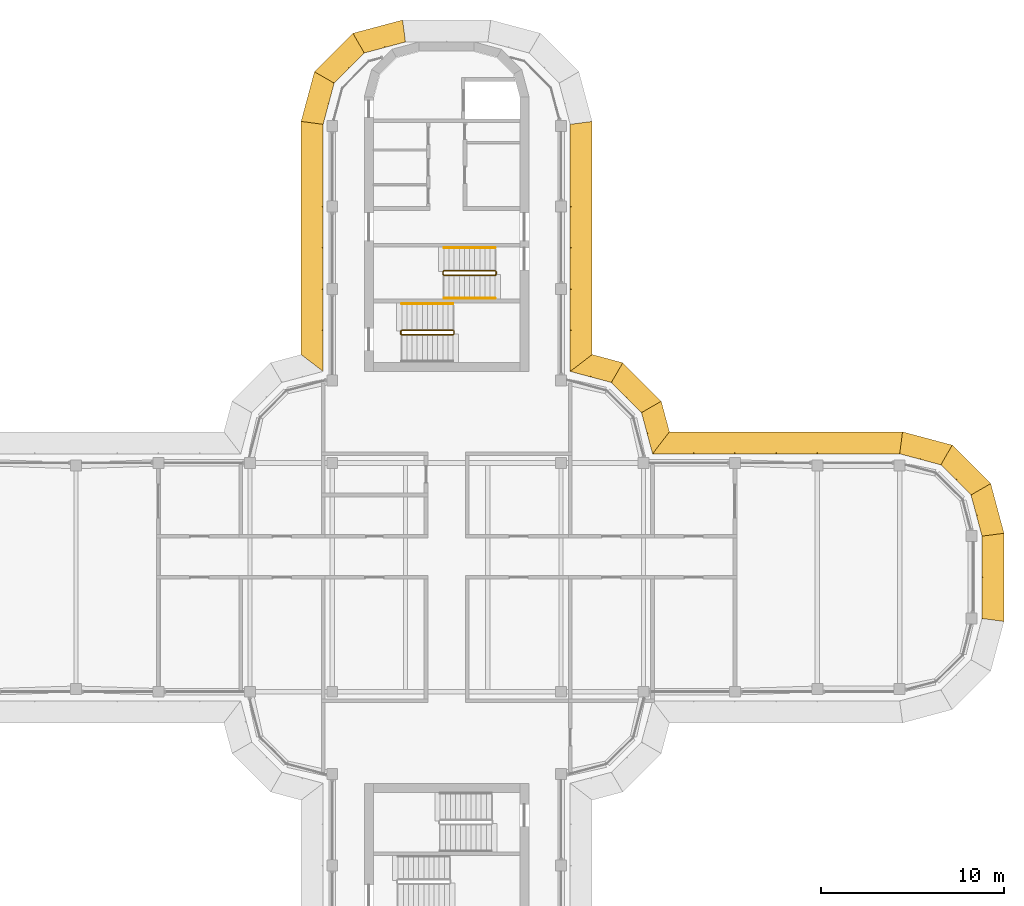
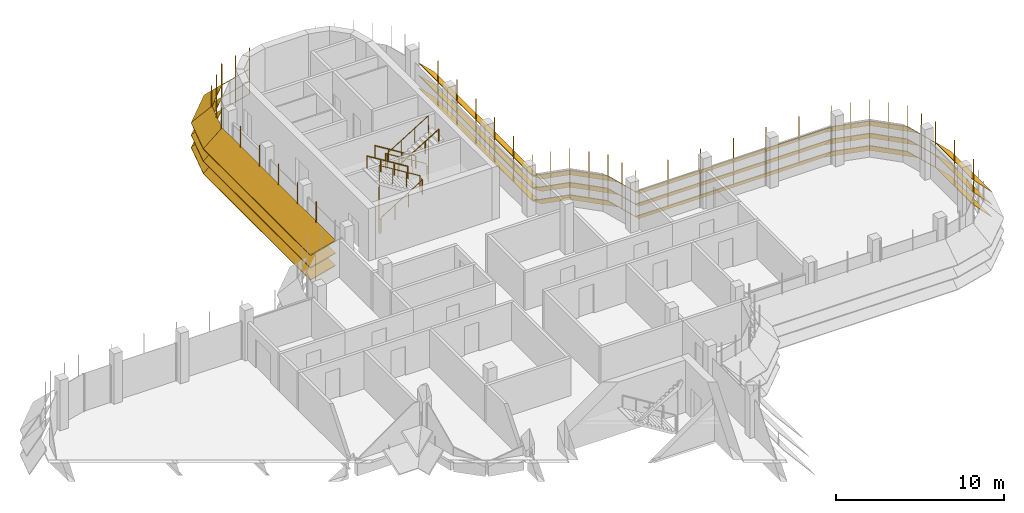
# One storey, part 18 of 19: 7 shading devices, 5 railings.
"""IFC4 building model written with IfcOpenShell, lengths in metres."""

from ifc_helpers import new_model, si_unit, direction, frame, origin, origin_2d, place, context, subcontext, project, spatial, polyline, circle, outline, extrude, faceted_brep, source, transform, mapped, material, type_object, element, save


model = new_model("IFC4")

# Units and contexts
model_context = context("Model", 3, precision=1e-05, world=origin(), true_north=direction((0.0, 1.0)))
body_context = subcontext(model_context, "Body", "Model", "MODEL_VIEW")
ifc_project = project(units=[si_unit("LENGTHUNIT", "METRE"), si_unit("AREAUNIT", "SQUARE_METRE"), si_unit("VOLUMEUNIT", "CUBIC_METRE"), si_unit("PLANEANGLEUNIT", "RADIAN"), si_unit("MASSUNIT", "GRAM", prefix="KILO")], contexts=[model_context])

# Site, building, storey
site_placement = place(None, origin())
site = spatial("IfcSite", under=ifc_project, at=site_placement, CompositionType="ELEMENT")
building_placement = place(site_placement, origin())
building = spatial("IfcBuilding", under=site, at=building_placement, Name="Zarbagh Exchange Tower", CompositionType="ELEMENT")
storey_placement = place(building_placement, frame((0.0, 0.0, 257.39990234375)))
storey = spatial("IfcBuildingStorey", under=building, at=storey_placement, Name="L63", CompositionType="ELEMENT", Elevation=257.39990234375)

# Railings
ifc_material_1 = material(Name="Stainless steel", Category="steel")
railing_type_1 = type_object("IfcRailingType", Name="Stair guard 1100 mm", PredefinedType="GUARDRAIL", material=ifc_material_1)
railing_1_placement = place(storey_placement, frame((2.64990234375, 16.75, 0.1728515625)))
element("IfcRailing", 1, at=railing_1_placement, inside=storey, type_object=railing_type_1, Name="ST1 stair guard 1", PredefinedType="GUARDRAIL", context=body_context, shape_type="SweptSolid", body=[
    extrude(circle(Radius=0.02392578125, at=origin_2d()), frame((0.0, 0.0, 1.076171875), z_axis=(-0.851069175582, 0.0, 0.525053576669), x_axis=(0.0, -1.0, 0.0)), (0.0, 0.0, 1.0), 3.289794921875),
    extrude(circle(Radius=0.02392578125, at=origin_2d()), frame((-2.7998046875, 0.0, 2.80322265625), z_axis=(-0.707106781187, -0.707106781187, 0.0), x_axis=(0.707106781187, -0.707106781187, 0.0)), (0.0, 0.0, 1.0), 0.07080078125),
    extrude(circle(Radius=0.02392578125, at=origin_2d()), frame((-2.849853515625, -0.050048828125, 2.80322265625), z_axis=(0.0, -1.0, 0.0), x_axis=(1.0, 0.0, 0.0)), (0.0, 0.0, 1.0), 0.14990234375),
    extrude(circle(Radius=0.02392578125, at=origin_2d()), frame((-2.849853515625, -0.199951171875, 2.80322265625), z_axis=(0.268277960024, -0.268277960024, 0.925231793839), x_axis=(0.707106781187, 0.707106781187, 0.0)), (0.0, 0.0, 1.0), 0.1865234375),
    extrude(circle(Radius=0.02392578125, at=origin_2d()), frame((-2.7998046875, -0.25, 2.97607421875), z_axis=(0.851069175582, 0.0, 0.525053576669), x_axis=(0.0, 1.0, 0.0)), (0.0, 0.0, 1.0), 3.289794921875),
    extrude(circle(Radius=0.02392578125, at=origin_2d()), frame((0.0, -0.25, 4.703125), z_axis=(0.013168290981, 0.013168290981, -0.999826581076), x_axis=(-0.707106781187, 0.707106781187, 0.0)), (0.0, 0.0, 1.0), 3.80078125),
    extrude(circle(Radius=0.02392578125, at=origin_2d()), frame((0.050048828125, -0.199951171875, 0.9033203125), z_axis=(0.0, 1.0, 0.0), x_axis=(-1.0, 0.0, 0.0)), (0.0, 0.0, 1.0), 0.14990234375),
    extrude(circle(Radius=0.02099609375, at=origin_2d()), origin(), (0.0, 0.0, 1.0), 1.052001953125),
    extrude(circle(Radius=0.02099609375, at=origin_2d()), frame((-0.933349609375, 0.0, 0.57568359375)), (0.0, 0.0, 1.0), 1.052001953125),
    extrude(circle(Radius=0.02099609375, at=origin_2d()), frame((-1.866455078125, 0.0, 1.151611328125)), (0.0, 0.0, 1.0), 1.052001953125),
    extrude(circle(Radius=0.02099609375, at=origin_2d()), frame((-2.7998046875, 0.0, 1.727294921875)), (0.0, 0.0, 1.0), 1.052001953125),
    extrude(circle(Radius=0.02099609375, at=origin_2d()), frame((-2.849853515625, -0.050048828125, 1.727294921875)), (0.0, 0.0, 1.0), 1.052001953125),
    extrude(circle(Radius=0.02099609375, at=origin_2d()), frame((-2.849853515625, -0.199951171875, 1.727294921875)), (0.0, 0.0, 1.0), 1.052001953125),
    extrude(circle(Radius=0.02099609375, at=origin_2d()), frame((-2.7998046875, -0.25, 1.89990234375)), (0.0, 0.0, 1.0), 1.052001953125),
    extrude(circle(Radius=0.02099609375, at=origin_2d()), frame((-1.866455078125, -0.25, 2.4755859375)), (0.0, 0.0, 1.0), 1.052001953125),
    extrude(circle(Radius=0.02099609375, at=origin_2d()), frame((-0.933349609375, -0.25, 3.051513671875)), (0.0, 0.0, 1.0), 1.052001953125),
    extrude(circle(Radius=0.02099609375, at=origin_2d()), frame((0.0, -0.25, 3.627197265625)), (0.0, 0.0, 1.0), 1.052001953125),
    extrude(circle(Radius=0.02099609375, at=origin_2d()), frame((0.012451171875, -0.237548828125, 2.67724609375)), (0.0, 0.0, 1.0), 1.052001953125),
    extrude(circle(Radius=0.02099609375, at=origin_2d()), frame((0.02490234375, -0.22509765625, 1.72705078125)), (0.0, 0.0, 1.0), 1.052001953125),
    extrude(circle(Radius=0.02099609375, at=origin_2d()), frame((0.03759765625, -0.21240234375, 0.777099609375)), (0.0, 0.0, 1.0), 1.052001953125),
    extrude(circle(Radius=0.02099609375, at=origin_2d()), frame((0.050048828125, -0.199951171875, -0.1728515625)), (0.0, 0.0, 1.0), 1.052001953125),
    extrude(circle(Radius=0.02099609375, at=origin_2d()), frame((0.050048828125, -0.050048828125, -0.1728515625)), (0.0, 0.0, 1.0), 1.052001953125),
])
railing_2_placement = place(storey_placement, frame((0.35009765625, 13.5, 2.07275390625)))
element("IfcRailing", 2, at=railing_2_placement, inside=storey, type_object=railing_type_1, Name="ST2 stair guard 1", PredefinedType="GUARDRAIL", context=body_context, shape_type="SweptSolid", body=[
    extrude(circle(Radius=0.02392578125, at=origin_2d()), frame((0.0, 0.0, 1.076171875), z_axis=(-0.851089632645, 0.0, 0.525020415988), x_axis=(0.0, -1.0, 0.0)), (0.0, 0.0, 1.0), 3.2900390625),
    extrude(circle(Radius=0.02392578125, at=origin_2d()), frame((-2.800048828125, 0.0, 2.80322265625), z_axis=(-0.013168290981, -0.013168290981, -0.999826581076), x_axis=(0.707106781187, -0.707106781187, 0.0)), (0.0, 0.0, 1.0), 3.80078125),
    extrude(circle(Radius=0.02392578125, at=origin_2d()), frame((-2.85009765625, -0.050048828125, -0.99658203125), z_axis=(0.0, -1.0, 0.0), x_axis=(1.0, 0.0, 0.0)), (0.0, 0.0, 1.0), 0.14990234375),
    extrude(circle(Radius=0.02392578125, at=origin_2d()), frame((-2.85009765625, -0.199951171875, -0.99658203125), z_axis=(0.267953482034, -0.267953482034, 0.925419830635), x_axis=(0.707106781187, 0.707106781187, 0.0)), (0.0, 0.0, 1.0), 0.186767578125),
    extrude(circle(Radius=0.02392578125, at=origin_2d()), frame((-2.800048828125, -0.25, -0.82373046875), z_axis=(0.851089632645, 0.0, 0.525020415988), x_axis=(0.0, 1.0, 0.0)), (0.0, 0.0, 1.0), 3.2900390625),
    extrude(circle(Radius=0.02392578125, at=origin_2d()), frame((0.0, -0.25, 0.9033203125), z_axis=(0.705375805398, 0.708833529934, 0.0), x_axis=(-0.708833529934, 0.705375805398, 0.0)), (0.0, 0.0, 1.0), 0.070556640625),
    extrude(circle(Radius=0.02392578125, at=origin_2d()), frame((0.0498046875, -0.199951171875, 0.9033203125), z_axis=(0.0, 1.0, 0.0), x_axis=(-1.0, 0.0, 0.0)), (0.0, 0.0, 1.0), 0.14990234375),
    extrude(circle(Radius=0.02099609375, at=origin_2d()), origin(), (0.0, 0.0, 1.0), 1.052001953125),
    extrude(circle(Radius=0.02099609375, at=origin_2d()), frame((-0.933349609375, 0.0, 0.57568359375)), (0.0, 0.0, 1.0), 1.052001953125),
    extrude(circle(Radius=0.02099609375, at=origin_2d()), frame((-1.86669921875, 0.0, 1.151611328125)), (0.0, 0.0, 1.0), 1.052001953125),
    extrude(circle(Radius=0.02099609375, at=origin_2d()), frame((-2.800048828125, 0.0, 1.727294921875)), (0.0, 0.0, 1.0), 1.052001953125),
    extrude(circle(Radius=0.02099609375, at=origin_2d()), frame((-2.8125, -0.012451171875, 0.77734375)), (0.0, 0.0, 1.0), 1.052001953125),
    extrude(circle(Radius=0.02099609375, at=origin_2d()), frame((-2.8251953125, -0.02490234375, -0.1728515625)), (0.0, 0.0, 1.0), 1.052001953125),
    extrude(circle(Radius=0.02099609375, at=origin_2d()), frame((-2.837646484375, -0.03759765625, -1.122802734375)), (0.0, 0.0, 1.0), 1.052001953125),
    extrude(circle(Radius=0.02099609375, at=origin_2d()), frame((-2.85009765625, -0.050048828125, -2.07275390625)), (0.0, 0.0, 1.0), 1.052001953125),
    extrude(circle(Radius=0.02099609375, at=origin_2d()), frame((-2.85009765625, -0.199951171875, -2.07275390625)), (0.0, 0.0, 1.0), 1.052001953125),
    extrude(circle(Radius=0.02099609375, at=origin_2d()), frame((-2.800048828125, -0.25, -1.89990234375)), (0.0, 0.0, 1.0), 1.052001953125),
    extrude(circle(Radius=0.02099609375, at=origin_2d()), frame((-1.86669921875, -0.25, -1.32421875)), (0.0, 0.0, 1.0), 1.052001953125),
    extrude(circle(Radius=0.02099609375, at=origin_2d()), frame((-0.933349609375, -0.25, -0.748291015625)), (0.0, 0.0, 1.0), 1.052001953125),
    extrude(circle(Radius=0.02099609375, at=origin_2d()), frame((0.0, -0.25, -0.172607421875)), (0.0, 0.0, 1.0), 1.052001953125),
    extrude(circle(Radius=0.02099609375, at=origin_2d()), frame((0.0498046875, -0.199951171875, -0.172607421875)), (0.0, 0.0, 1.0), 1.052001953125),
    extrude(circle(Radius=0.02099609375, at=origin_2d()), frame((0.0498046875, -0.050048828125, -0.172607421875)), (0.0, 0.0, 1.0), 1.052001953125),
])
railing_type_2 = type_object("IfcRailingType", Name="Stair handrail 900 mm", PredefinedType="HANDRAIL", material=ifc_material_1)
railing_3_placement = place(storey_placement, frame((2.64990234375, 18.0, 0.1728515625)))
element("IfcRailing", 3, at=railing_3_placement, inside=storey, type_object=railing_type_2, Name="ST1 stair handrail 1", PredefinedType="HANDRAIL", context=body_context, shape_type="SweptSolid", body=[
    extrude(circle(Radius=0.02392578125, at=origin_2d()), frame((0.0, 0.0, 0.8759765625), z_axis=(-0.851069175582, 0.0, 0.525053576669), x_axis=(0.0, -1.0, 0.0)), (0.0, 0.0, 1.0), 3.289794921875),
    extrude(circle(Radius=0.02099609375, at=origin_2d()), origin(), (0.0, 0.0, 1.0), 0.851806640625),
    extrude(circle(Radius=0.02099609375, at=origin_2d()), frame((-0.933349609375, 0.0, 0.57568359375)), (0.0, 0.0, 1.0), 0.851806640625),
    extrude(circle(Radius=0.02099609375, at=origin_2d()), frame((-1.866455078125, 0.0, 1.151611328125)), (0.0, 0.0, 1.0), 0.851806640625),
    extrude(circle(Radius=0.02099609375, at=origin_2d()), frame((-2.7998046875, 0.0, 1.727294921875)), (0.0, 0.0, 1.0), 0.851806640625),
])
railing_4_placement = place(storey_placement, frame((-0.14990234375, 15.25, 2.07275390625)))
element("IfcRailing", 4, at=railing_4_placement, inside=storey, type_object=railing_type_2, Name="ST1 stair handrail 2", PredefinedType="HANDRAIL", context=body_context, shape_type="SweptSolid", body=[
    extrude(circle(Radius=0.02392578125, at=origin_2d()), frame((0.0, 0.0, 0.8759765625), z_axis=(0.851069175582, 0.0, 0.525053576669), x_axis=(0.0, 1.0, 0.0)), (0.0, 0.0, 1.0), 3.289794921875),
    extrude(circle(Radius=0.02099609375, at=origin_2d()), origin(), (0.0, 0.0, 1.0), 0.851806640625),
    extrude(circle(Radius=0.02099609375, at=origin_2d()), frame((0.933349609375, 0.0, 0.57568359375)), (0.0, 0.0, 1.0), 0.851806640625),
    extrude(circle(Radius=0.02099609375, at=origin_2d()), frame((1.866455078125, 0.0, 1.151611328125)), (0.0, 0.0, 1.0), 0.851806640625),
    extrude(circle(Radius=0.02099609375, at=origin_2d()), frame((2.7998046875, 0.0, 1.727294921875)), (0.0, 0.0, 1.0), 0.851806640625),
])
railing_5_placement = place(storey_placement, frame((0.35009765625, 14.949951171875, 2.07275390625)))
element("IfcRailing", 5, at=railing_5_placement, inside=storey, type_object=railing_type_2, Name="ST2 stair handrail 2", PredefinedType="HANDRAIL", context=body_context, shape_type="SweptSolid", body=[
    extrude(circle(Radius=0.02392578125, at=origin_2d()), frame((0.0, 0.0, 0.8759765625), z_axis=(-0.851089632645, 0.0, 0.525020415988), x_axis=(0.0, -1.0, 0.0)), (0.0, 0.0, 1.0), 3.2900390625),
    extrude(circle(Radius=0.02099609375, at=origin_2d()), origin(), (0.0, 0.0, 1.0), 0.851806640625),
    extrude(circle(Radius=0.02099609375, at=origin_2d()), frame((-0.933349609375, 0.0, 0.57568359375)), (0.0, 0.0, 1.0), 0.851806640625),
    extrude(circle(Radius=0.02099609375, at=origin_2d()), frame((-1.86669921875, 0.0, 1.151611328125)), (0.0, 0.0, 1.0), 0.851806640625),
    extrude(circle(Radius=0.02099609375, at=origin_2d()), frame((-2.800048828125, 0.0, 1.727294921875)), (0.0, 0.0, 1.0), 0.851806640625),
])

# Shading devices
ifc_material_2 = material(Name="Anodised aluminium blades and brackets", Category="aluminium")
shading_device_type = type_object("IfcShadingDeviceType", Name="SUNSHADE louvre band, 45 degree blades", PredefinedType="JALOUSIE", material=ifc_material_2)
shared_shape_1 = source(origin(), body_context, "Body", "Brep", [
    faceted_brep([(0.0, 0.0, 0.0), (0.0, 0.0, -0.056640625), (-0.157958984375, -1.199951171875, -1.256591796875), (-0.157958984375, -1.199951171875, -1.199951171875), (2.65087890625, -1.199951171875, -1.199951171875), (2.65087890625, -1.199951171875, -1.256591796875), (2.329345703125, 0.0, -0.056640625), (2.329345703125, 0.0, 0.0)], [[[0, 1, 2, 3]], [[4, 5, 6, 7]], [[0, 7, 6, 1]], [[1, 6, 5, 2]], [[2, 5, 4, 3]], [[3, 4, 7, 0]]]),
])
shared_shape_2 = source(origin(), body_context, "Body", "Brep", [
    faceted_brep([(0.0, 0.0, 0.0), (0.0, 0.0, -0.056640625), (-0.321533203125, -1.199951171875, -1.256591796875), (-0.321533203125, -1.199951171875, -1.199951171875), (2.65087890625, -1.199951171875, -1.199951171875), (2.65087890625, -1.199951171875, -1.256591796875), (2.329345703125, 0.0, -0.056640625), (2.329345703125, 0.0, 0.0)], [[[0, 1, 2, 3]], [[4, 5, 6, 7]], [[0, 7, 6, 1]], [[1, 6, 5, 2]], [[2, 5, 4, 3]], [[3, 4, 7, 0]]]),
])
shared_shape_3 = source(origin(), body_context, "Body", "Brep", [
    faceted_brep([(0.0, 0.0, 0.0), (0.0, 0.0, -0.056640625), (-0.321533203125, -1.199951171875, -1.256591796875), (-0.321533203125, -1.199951171875, -1.199951171875), (2.4873046875, -1.199951171875, -1.199951171875), (2.4873046875, -1.199951171875, -1.256591796875), (2.329345703125, 0.0, -0.056640625), (2.329345703125, 0.0, 0.0)], [[[0, 1, 2, 3]], [[4, 5, 6, 7]], [[0, 7, 6, 1]], [[1, 6, 5, 2]], [[2, 5, 4, 3]], [[3, 4, 7, 0]]]),
])
shared_shape_4 = source(origin(), body_context, "Body", "SweptSolid", [
    extrude(outline(polyline([(0.0, -0.012451171875), (0.06005859375, -0.012451171875), (0.06005859375, 0.012451171875), (0.0, 0.012451171875), (0.0, -0.012451171875)])), origin(), (0.0, 0.0, 1.0), 3.366455078125),
])
placement = place(storey_placement, origin())
element("IfcShadingDevice", 6, at=placement, inside=storey, type_object=shading_device_type, Name="SS53 sunshade band", PredefinedType="JALOUSIE", context=body_context, shape_type="MappedRepresentation", body=[
    mapped(shared_shape_1, transform((29.25, 2.25, 2.300048828125), x_axis=(-0.258824779902, 0.965924289636, 0.0), y_axis=(-0.965924289636, -0.258824779902, 0.0), z_axis=(0.0, 0.0, 1.0))),
    mapped(shared_shape_1, transform((29.25, 2.25, 1.400146484375), x_axis=(-0.258824779902, 0.965924289636, 0.0), y_axis=(-0.965924289636, -0.258824779902, 0.0), z_axis=(0.0, 0.0, 1.0))),
    mapped(shared_shape_1, transform((29.25, 2.25, 0.5), x_axis=(-0.258824779902, 0.965924289636, 0.0), y_axis=(-0.965924289636, -0.258824779902, 0.0), z_axis=(0.0, 0.0, 1.0))),
    mapped(shared_shape_2, transform((28.647216796875, 4.5, 2.300048828125), x_axis=(-0.707106781187, 0.707106781187, 0.0), y_axis=(-0.707106781187, -0.707106781187, 0.0), z_axis=(0.0, 0.0, 1.0))),
    mapped(shared_shape_2, transform((28.647216796875, 4.5, 1.400146484375), x_axis=(-0.707106781187, 0.707106781187, 0.0), y_axis=(-0.707106781187, -0.707106781187, 0.0), z_axis=(0.0, 0.0, 1.0))),
    mapped(shared_shape_2, transform((28.647216796875, 4.5, 0.5), x_axis=(-0.707106781187, 0.707106781187, 0.0), y_axis=(-0.707106781187, -0.707106781187, 0.0), z_axis=(0.0, 0.0, 1.0))),
    mapped(shared_shape_3, transform((27.0, 6.147216796875, 2.300048828125), x_axis=(-0.965924289636, 0.258824779902, 0.0), y_axis=(-0.258824779902, -0.965924289636, 0.0), z_axis=(0.0, 0.0, 1.0))),
    mapped(shared_shape_3, transform((27.0, 6.147216796875, 1.400146484375), x_axis=(-0.965924289636, 0.258824779902, 0.0), y_axis=(-0.258824779902, -0.965924289636, 0.0), z_axis=(0.0, 0.0, 1.0))),
    mapped(shared_shape_3, transform((27.0, 6.147216796875, 0.5), x_axis=(-0.965924289636, 0.258824779902, 0.0), y_axis=(-0.258824779902, -0.965924289636, 0.0), z_axis=(0.0, 0.0, 1.0))),
    mapped(shared_shape_4, transform((29.25, 2.25, 0.41357421875), x_axis=(0.991444457092, 0.130529263012, 0.0), y_axis=(-0.130529263012, 0.991444457092, 0.0), z_axis=(0.0, 0.0, 1.0))),
    mapped(shared_shape_4, transform((28.948486328125, 3.375, 0.41357421875), x_axis=(0.96592421511, 0.258825058029, 0.0), y_axis=(-0.258825058029, 0.96592421511, 0.0), z_axis=(0.0, 0.0, 1.0))),
    mapped(shared_shape_4, transform((28.647216796875, 4.5, 0.41357421875), x_axis=(0.866023812018, 0.50000275701, 0.0), y_axis=(-0.50000275701, 0.866023812018, 0.0), z_axis=(0.0, 0.0, 1.0))),
    mapped(shared_shape_4, transform((27.823486328125, 5.323486328125, 0.41357421875), x_axis=(0.707106781187, 0.707106781187, 0.0), y_axis=(-0.707106781187, 0.707106781187, 0.0), z_axis=(0.0, 0.0, 1.0))),
    mapped(shared_shape_4, transform((27.0, 6.147216796875, 0.41357421875), x_axis=(0.50000275701, 0.866023812018, 0.0), y_axis=(-0.866023812018, 0.50000275701, 0.0), z_axis=(0.0, 0.0, 1.0))),
    mapped(shared_shape_4, transform((25.875, 6.448486328125, 0.41357421875), x_axis=(0.258825058029, 0.96592421511, 0.0), y_axis=(-0.96592421511, 0.258825058029, 0.0), z_axis=(0.0, 0.0, 1.0))),
])
element("IfcShadingDevice", 7, at=placement, inside=storey, type_object=shading_device_type, Name="SS48 sunshade band", PredefinedType="JALOUSIE", context=body_context, shape_type="MappedRepresentation", body=[
    mapped(shared_shape_1, transform((-2.25, 29.25, 2.300048828125), x_axis=(-0.965924289636, -0.258824779902, 0.0), y_axis=(0.258824779902, -0.965924289636, 0.0), z_axis=(0.0, 0.0, 1.0))),
    mapped(shared_shape_1, transform((-2.25, 29.25, 1.400146484375), x_axis=(-0.965924289636, -0.258824779902, 0.0), y_axis=(0.258824779902, -0.965924289636, 0.0), z_axis=(0.0, 0.0, 1.0))),
    mapped(shared_shape_1, transform((-2.25, 29.25, 0.5), x_axis=(-0.965924289636, -0.258824779902, 0.0), y_axis=(0.258824779902, -0.965924289636, 0.0), z_axis=(0.0, 0.0, 1.0))),
    mapped(shared_shape_2, transform((-4.5, 28.647216796875, 2.300048828125), x_axis=(-0.707106781187, -0.707106781187, 0.0), y_axis=(0.707106781187, -0.707106781187, 0.0), z_axis=(0.0, 0.0, 1.0))),
    mapped(shared_shape_2, transform((-4.5, 28.647216796875, 1.400146484375), x_axis=(-0.707106781187, -0.707106781187, 0.0), y_axis=(0.707106781187, -0.707106781187, 0.0), z_axis=(0.0, 0.0, 1.0))),
    mapped(shared_shape_2, transform((-4.5, 28.647216796875, 0.5), x_axis=(-0.707106781187, -0.707106781187, 0.0), y_axis=(0.707106781187, -0.707106781187, 0.0), z_axis=(0.0, 0.0, 1.0))),
    mapped(shared_shape_3, transform((-6.147216796875, 27.0, 2.300048828125), x_axis=(-0.258824779902, -0.965924289636, 0.0), y_axis=(0.965924289636, -0.258824779902, 0.0), z_axis=(0.0, 0.0, 1.0))),
    mapped(shared_shape_3, transform((-6.147216796875, 27.0, 1.400146484375), x_axis=(-0.258824779902, -0.965924289636, 0.0), y_axis=(0.965924289636, -0.258824779902, 0.0), z_axis=(0.0, 0.0, 1.0))),
    mapped(shared_shape_3, transform((-6.147216796875, 27.0, 0.5), x_axis=(-0.258824779902, -0.965924289636, 0.0), y_axis=(0.965924289636, -0.258824779902, 0.0), z_axis=(0.0, 0.0, 1.0))),
    mapped(shared_shape_4, transform((-2.25, 29.25, 0.41357421875), x_axis=(-0.130529263012, 0.991444457092, 0.0), y_axis=(-0.991444457092, -0.130529263012, 0.0), z_axis=(0.0, 0.0, 1.0))),
    mapped(shared_shape_4, transform((-3.375, 28.948486328125, 0.41357421875), x_axis=(-0.258825058029, 0.96592421511, 0.0), y_axis=(-0.96592421511, -0.258825058029, 0.0), z_axis=(0.0, 0.0, 1.0))),
    mapped(shared_shape_4, transform((-4.5, 28.647216796875, 0.41357421875), x_axis=(-0.50000275701, 0.866023812018, 0.0), y_axis=(-0.866023812018, -0.50000275701, 0.0), z_axis=(0.0, 0.0, 1.0))),
    mapped(shared_shape_4, transform((-5.323486328125, 27.823486328125, 0.41357421875), x_axis=(-0.707106781187, 0.707106781187, 0.0), y_axis=(-0.707106781187, -0.707106781187, 0.0), z_axis=(0.0, 0.0, 1.0))),
    mapped(shared_shape_4, transform((-6.147216796875, 27.0, 0.41357421875), x_axis=(-0.866023812018, 0.50000275701, 0.0), y_axis=(-0.50000275701, -0.866023812018, 0.0), z_axis=(0.0, 0.0, 1.0))),
    mapped(shared_shape_4, transform((-6.448486328125, 25.875, 0.41357421875), x_axis=(-0.96592421511, 0.258825058029, 0.0), y_axis=(-0.258825058029, -0.96592421511, 0.0), z_axis=(0.0, 0.0, 1.0))),
])
shared_shape_5 = source(origin(), body_context, "Body", "Brep", [
    faceted_brep([(0.0, 0.0, 0.0), (0.0, 0.0, -0.056640625), (0.9208984375, -1.199951171875, -1.256591796875), (0.9208984375, -1.199951171875, -1.199951171875), (2.65087890625, -1.199951171875, -1.199951171875), (2.65087890625, -1.199951171875, -1.256591796875), (2.329345703125, 0.0, -0.056640625), (2.329345703125, 0.0, 0.0)], [[[0, 1, 2, 3]], [[4, 5, 6, 7]], [[0, 7, 6, 1]], [[1, 6, 5, 2]], [[2, 5, 4, 3]], [[3, 4, 7, 0]]]),
])
shared_shape_6 = source(origin(), body_context, "Body", "Brep", [
    faceted_brep([(0.0, 0.0, 0.0), (0.0, 0.0, -0.056640625), (-0.321533203125, -1.199951171875, -1.256591796875), (-0.321533203125, -1.199951171875, -1.199951171875), (1.40869140625, -1.199951171875, -1.199951171875), (1.40869140625, -1.199951171875, -1.256591796875), (2.329345703125, 0.0, -0.056640625), (2.329345703125, 0.0, 0.0)], [[[0, 1, 2, 3]], [[4, 5, 6, 7]], [[0, 7, 6, 1]], [[1, 6, 5, 2]], [[2, 5, 4, 3]], [[3, 4, 7, 0]]]),
])
element("IfcShadingDevice", 8, at=placement, inside=storey, type_object=shading_device_type, Name="SS09 sunshade band", PredefinedType="JALOUSIE", context=body_context, shape_type="MappedRepresentation", body=[
    mapped(shared_shape_5, transform((11.25, 6.75, 2.300048828125), x_axis=(-0.258824779902, 0.965924289636, 0.0), y_axis=(-0.965924289636, -0.258824779902, 0.0), z_axis=(0.0, 0.0, 1.0))),
    mapped(shared_shape_5, transform((11.25, 6.75, 1.400146484375), x_axis=(-0.258824779902, 0.965924289636, 0.0), y_axis=(-0.965924289636, -0.258824779902, 0.0), z_axis=(0.0, 0.0, 1.0))),
    mapped(shared_shape_5, transform((11.25, 6.75, 0.5), x_axis=(-0.258824779902, 0.965924289636, 0.0), y_axis=(-0.965924289636, -0.258824779902, 0.0), z_axis=(0.0, 0.0, 1.0))),
    mapped(shared_shape_2, transform((10.647216796875, 9.0, 2.300048828125), x_axis=(-0.707106781187, 0.707106781187, 0.0), y_axis=(-0.707106781187, -0.707106781187, 0.0), z_axis=(0.0, 0.0, 1.0))),
    mapped(shared_shape_2, transform((10.647216796875, 9.0, 1.400146484375), x_axis=(-0.707106781187, 0.707106781187, 0.0), y_axis=(-0.707106781187, -0.707106781187, 0.0), z_axis=(0.0, 0.0, 1.0))),
    mapped(shared_shape_2, transform((10.647216796875, 9.0, 0.5), x_axis=(-0.707106781187, 0.707106781187, 0.0), y_axis=(-0.707106781187, -0.707106781187, 0.0), z_axis=(0.0, 0.0, 1.0))),
    mapped(shared_shape_6, transform((9.0, 10.647216796875, 2.300048828125), x_axis=(-0.965924289636, 0.258824779902, 0.0), y_axis=(-0.258824779902, -0.965924289636, 0.0), z_axis=(0.0, 0.0, 1.0))),
    mapped(shared_shape_6, transform((9.0, 10.647216796875, 1.400146484375), x_axis=(-0.965924289636, 0.258824779902, 0.0), y_axis=(-0.258824779902, -0.965924289636, 0.0), z_axis=(0.0, 0.0, 1.0))),
    mapped(shared_shape_6, transform((9.0, 10.647216796875, 0.5), x_axis=(-0.965924289636, 0.258824779902, 0.0), y_axis=(-0.258824779902, -0.965924289636, 0.0), z_axis=(0.0, 0.0, 1.0))),
    mapped(shared_shape_4, transform((11.25, 6.75, 0.41357421875), x_axis=(0.608758892, 0.793355287, 0.0), y_axis=(-0.793355287, 0.608758892, 0.0), z_axis=(0.0, 0.0, 1.0))),
    mapped(shared_shape_4, transform((10.948486328125, 7.875, 0.41357421875), x_axis=(0.96592421511, 0.258825058029, 0.0), y_axis=(-0.258825058029, 0.96592421511, 0.0), z_axis=(0.0, 0.0, 1.0))),
    mapped(shared_shape_4, transform((10.647216796875, 9.0, 0.41357421875), x_axis=(0.866023812018, 0.50000275701, 0.0), y_axis=(-0.50000275701, 0.866023812018, 0.0), z_axis=(0.0, 0.0, 1.0))),
    mapped(shared_shape_4, transform((9.823486328125, 9.823486328125, 0.41357421875), x_axis=(0.707106781187, 0.707106781187, 0.0), y_axis=(-0.707106781187, 0.707106781187, 0.0), z_axis=(0.0, 0.0, 1.0))),
    mapped(shared_shape_4, transform((9.0, 10.647216796875, 0.41357421875), x_axis=(0.50000275701, 0.866023812018, 0.0), y_axis=(-0.866023812018, 0.50000275701, 0.0), z_axis=(0.0, 0.0, 1.0))),
    mapped(shared_shape_4, transform((7.875, 10.948486328125, 0.41357421875), x_axis=(0.258825058029, 0.96592421511, 0.0), y_axis=(-0.96592421511, 0.258825058029, 0.0), z_axis=(0.0, 0.0, 1.0))),
])
shared_shape_7 = source(origin(), body_context, "Body", "Brep", [
    faceted_brep([(0.0, 0.0, 0.0), (0.0, 0.0, -0.056640625), (-0.157958984375, -1.199951171875, -1.256591796875), (-0.157958984375, -1.199951171875, -1.199951171875), (4.657958984375, -1.199951171875, -1.199951171875), (4.657958984375, -1.199951171875, -1.256591796875), (4.5, 0.0, -0.056640625), (4.5, 0.0, 0.0)], [[[0, 1, 2, 3]], [[4, 5, 6, 7]], [[0, 7, 6, 1]], [[1, 6, 5, 2]], [[2, 5, 4, 3]], [[3, 4, 7, 0]]]),
])
element("IfcShadingDevice", 9, at=placement, inside=storey, type_object=shading_device_type, Name="SS52 sunshade band", PredefinedType="JALOUSIE", context=body_context, shape_type="MappedRepresentation", body=[
    mapped(shared_shape_7, transform((29.25, -2.25, 2.300048828125), x_axis=(0.0, 1.0, 0.0), y_axis=(-1.0, 0.0, 0.0), z_axis=(0.0, 0.0, 1.0))),
    mapped(shared_shape_7, transform((29.25, -2.25, 1.400146484375), x_axis=(0.0, 1.0, 0.0), y_axis=(-1.0, 0.0, 0.0), z_axis=(0.0, 0.0, 1.0))),
    mapped(shared_shape_7, transform((29.25, -2.25, 0.5), x_axis=(0.0, 1.0, 0.0), y_axis=(-1.0, 0.0, 0.0), z_axis=(0.0, 0.0, 1.0))),
    mapped(shared_shape_4, transform((29.25, -2.25, 0.41357421875), x_axis=(0.991444457092, -0.130529263012, 0.0), y_axis=(0.130529263012, 0.991444457092, 0.0), z_axis=(0.0, 0.0, 1.0))),
    mapped(shared_shape_4, transform((29.25, 0.0, 0.41357421875), x_axis=(1.0, 0.0, 0.0), y_axis=(0.0, 1.0, 0.0), z_axis=(0.0, 0.0, 1.0))),
])
shared_shape_8 = source(origin(), body_context, "Body", "Brep", [
    faceted_brep([(0.0, 0.0, 0.0), (0.0, 0.0, -0.056640625), (-0.157958984375, -1.199951171875, -1.256591796875), (-0.157958984375, -1.199951171875, -1.199951171875), (12.5791015625, -1.199951171875, -1.199951171875), (12.5791015625, -1.199951171875, -1.256591796875), (13.5, 0.0, -0.056640625), (13.5, 0.0, 0.0)], [[[0, 1, 2, 3]], [[4, 5, 6, 7]], [[0, 7, 6, 1]], [[1, 6, 5, 2]], [[2, 5, 4, 3]], [[3, 4, 7, 0]]]),
])
element("IfcShadingDevice", 10, at=placement, inside=storey, type_object=shading_device_type, Name="SS54 sunshade band", PredefinedType="JALOUSIE", context=body_context, shape_type="MappedRepresentation", body=[
    mapped(shared_shape_8, transform((24.75, 6.75, 2.300048828125), x_axis=(-1.0, 0.0, 0.0), y_axis=(0.0, -1.0, 0.0), z_axis=(0.0, 0.0, 1.0))),
    mapped(shared_shape_8, transform((24.75, 6.75, 1.400146484375), x_axis=(-1.0, 0.0, 0.0), y_axis=(0.0, -1.0, 0.0), z_axis=(0.0, 0.0, 1.0))),
    mapped(shared_shape_8, transform((24.75, 6.75, 0.5), x_axis=(-1.0, 0.0, 0.0), y_axis=(0.0, -1.0, 0.0), z_axis=(0.0, 0.0, 1.0))),
    mapped(shared_shape_4, transform((24.75, 6.75, 0.41357421875), x_axis=(0.130529263012, 0.991444457092, 0.0), y_axis=(-0.991444457092, 0.130529263012, 0.0), z_axis=(0.0, 0.0, 1.0))),
    mapped(shared_shape_4, transform((22.5, 6.75, 0.41357421875), x_axis=(0.0, 1.0, 0.0), y_axis=(-1.0, 0.0, 0.0), z_axis=(0.0, 0.0, 1.0))),
    mapped(shared_shape_4, transform((20.25, 6.75, 0.41357421875), x_axis=(0.0, 1.0, 0.0), y_axis=(-1.0, 0.0, 0.0), z_axis=(0.0, 0.0, 1.0))),
    mapped(shared_shape_4, transform((18.0, 6.75, 0.41357421875), x_axis=(0.0, 1.0, 0.0), y_axis=(-1.0, 0.0, 0.0), z_axis=(0.0, 0.0, 1.0))),
    mapped(shared_shape_4, transform((15.75, 6.75, 0.41357421875), x_axis=(0.0, 1.0, 0.0), y_axis=(-1.0, 0.0, 0.0), z_axis=(0.0, 0.0, 1.0))),
    mapped(shared_shape_4, transform((13.5, 6.75, 0.41357421875), x_axis=(0.0, 1.0, 0.0), y_axis=(-1.0, 0.0, 0.0), z_axis=(0.0, 0.0, 1.0))),
])
shared_shape_9 = source(origin(), body_context, "Body", "Brep", [
    faceted_brep([(0.0, 0.0, 0.0), (0.0, 0.0, -0.056640625), (0.9208984375, -1.199951171875, -1.256591796875), (0.9208984375, -1.199951171875, -1.199951171875), (13.657958984375, -1.199951171875, -1.199951171875), (13.657958984375, -1.199951171875, -1.256591796875), (13.5, 0.0, -0.056640625), (13.5, 0.0, 0.0)], [[[0, 1, 2, 3]], [[4, 5, 6, 7]], [[0, 7, 6, 1]], [[1, 6, 5, 2]], [[2, 5, 4, 3]], [[3, 4, 7, 0]]]),
])
element("IfcShadingDevice", 11, at=placement, inside=storey, type_object=shading_device_type, Name="SS45 sunshade band", PredefinedType="JALOUSIE", context=body_context, shape_type="MappedRepresentation", body=[
    mapped(shared_shape_9, transform((6.75, 11.25, 2.300048828125), x_axis=(0.0, 1.0, 0.0), y_axis=(-1.0, 0.0, 0.0), z_axis=(0.0, 0.0, 1.0))),
    mapped(shared_shape_9, transform((6.75, 11.25, 1.400146484375), x_axis=(0.0, 1.0, 0.0), y_axis=(-1.0, 0.0, 0.0), z_axis=(0.0, 0.0, 1.0))),
    mapped(shared_shape_9, transform((6.75, 11.25, 0.5), x_axis=(0.0, 1.0, 0.0), y_axis=(-1.0, 0.0, 0.0), z_axis=(0.0, 0.0, 1.0))),
    mapped(shared_shape_4, transform((6.75, 11.25, 0.41357421875), x_axis=(0.793355287, 0.608758892, 0.0), y_axis=(-0.608758892, 0.793355287, 0.0), z_axis=(0.0, 0.0, 1.0))),
    mapped(shared_shape_4, transform((6.75, 13.5, 0.41357421875), x_axis=(1.0, 0.0, 0.0), y_axis=(0.0, 1.0, 0.0), z_axis=(0.0, 0.0, 1.0))),
    mapped(shared_shape_4, transform((6.75, 15.75, 0.41357421875), x_axis=(1.0, 0.0, 0.0), y_axis=(0.0, 1.0, 0.0), z_axis=(0.0, 0.0, 1.0))),
    mapped(shared_shape_4, transform((6.75, 18.0, 0.41357421875), x_axis=(1.0, 0.0, 0.0), y_axis=(0.0, 1.0, 0.0), z_axis=(0.0, 0.0, 1.0))),
    mapped(shared_shape_4, transform((6.75, 20.25, 0.41357421875), x_axis=(1.0, 0.0, 0.0), y_axis=(0.0, 1.0, 0.0), z_axis=(0.0, 0.0, 1.0))),
    mapped(shared_shape_4, transform((6.75, 22.5, 0.41357421875), x_axis=(1.0, 0.0, 0.0), y_axis=(0.0, 1.0, 0.0), z_axis=(0.0, 0.0, 1.0))),
])
element("IfcShadingDevice", 12, at=placement, inside=storey, type_object=shading_device_type, Name="SS49 sunshade band", PredefinedType="JALOUSIE", context=body_context, shape_type="MappedRepresentation", body=[
    mapped(shared_shape_8, transform((-6.75, 24.75, 2.300048828125), x_axis=(0.0, -1.0, 0.0), y_axis=(1.0, 0.0, 0.0), z_axis=(0.0, 0.0, 1.0))),
    mapped(shared_shape_8, transform((-6.75, 24.75, 1.400146484375), x_axis=(0.0, -1.0, 0.0), y_axis=(1.0, 0.0, 0.0), z_axis=(0.0, 0.0, 1.0))),
    mapped(shared_shape_8, transform((-6.75, 24.75, 0.5), x_axis=(0.0, -1.0, 0.0), y_axis=(1.0, 0.0, 0.0), z_axis=(0.0, 0.0, 1.0))),
    mapped(shared_shape_4, transform((-6.75, 24.75, 0.41357421875), x_axis=(-0.991444457092, 0.130529263012, 0.0), y_axis=(-0.130529263012, -0.991444457092, 0.0), z_axis=(0.0, 0.0, 1.0))),
    mapped(shared_shape_4, transform((-6.75, 22.5, 0.41357421875), x_axis=(-1.0, 0.0, 0.0), y_axis=(0.0, -1.0, 0.0), z_axis=(0.0, 0.0, 1.0))),
    mapped(shared_shape_4, transform((-6.75, 20.25, 0.41357421875), x_axis=(-1.0, 0.0, 0.0), y_axis=(0.0, -1.0, 0.0), z_axis=(0.0, 0.0, 1.0))),
    mapped(shared_shape_4, transform((-6.75, 18.0, 0.41357421875), x_axis=(-1.0, 0.0, 0.0), y_axis=(0.0, -1.0, 0.0), z_axis=(0.0, 0.0, 1.0))),
    mapped(shared_shape_4, transform((-6.75, 15.75, 0.41357421875), x_axis=(-1.0, 0.0, 0.0), y_axis=(0.0, -1.0, 0.0), z_axis=(0.0, 0.0, 1.0))),
    mapped(shared_shape_4, transform((-6.75, 13.5, 0.41357421875), x_axis=(-1.0, 0.0, 0.0), y_axis=(0.0, -1.0, 0.0), z_axis=(0.0, 0.0, 1.0))),
])

save(model, "model.ifc")
